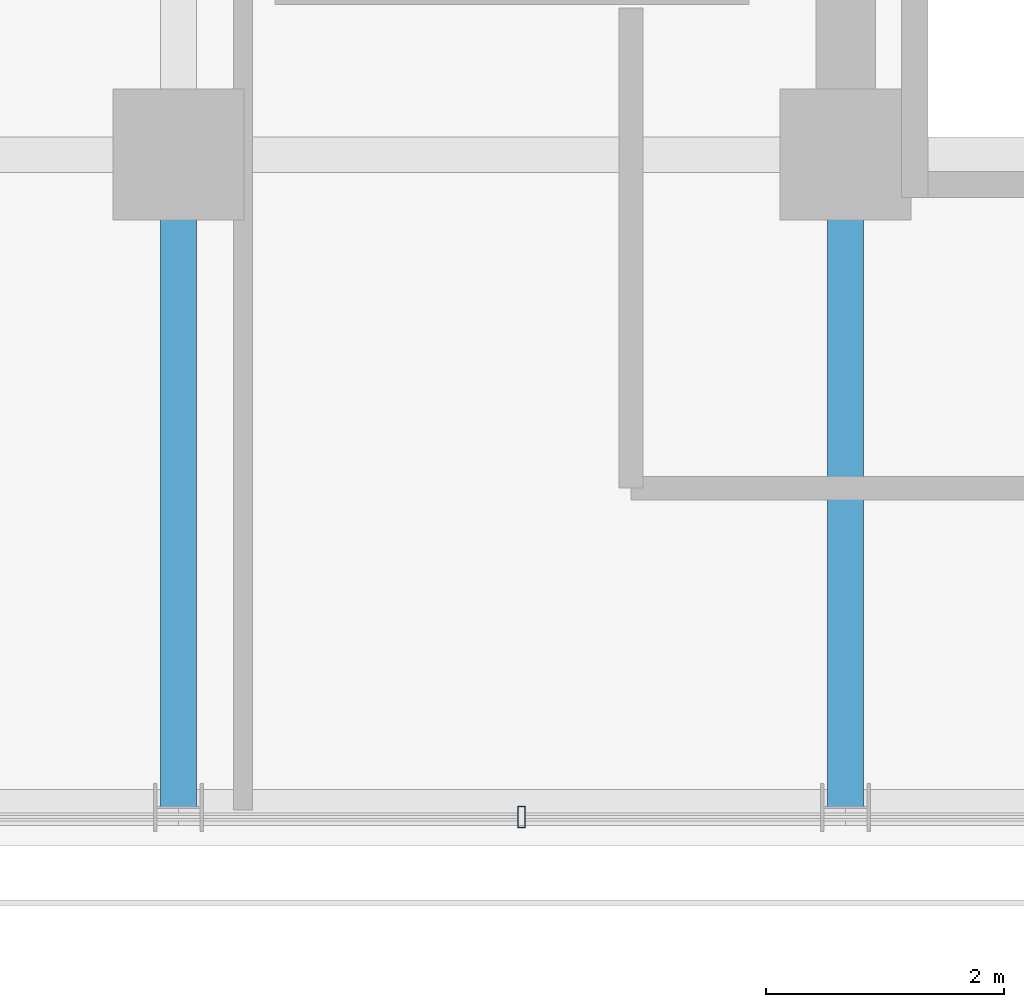
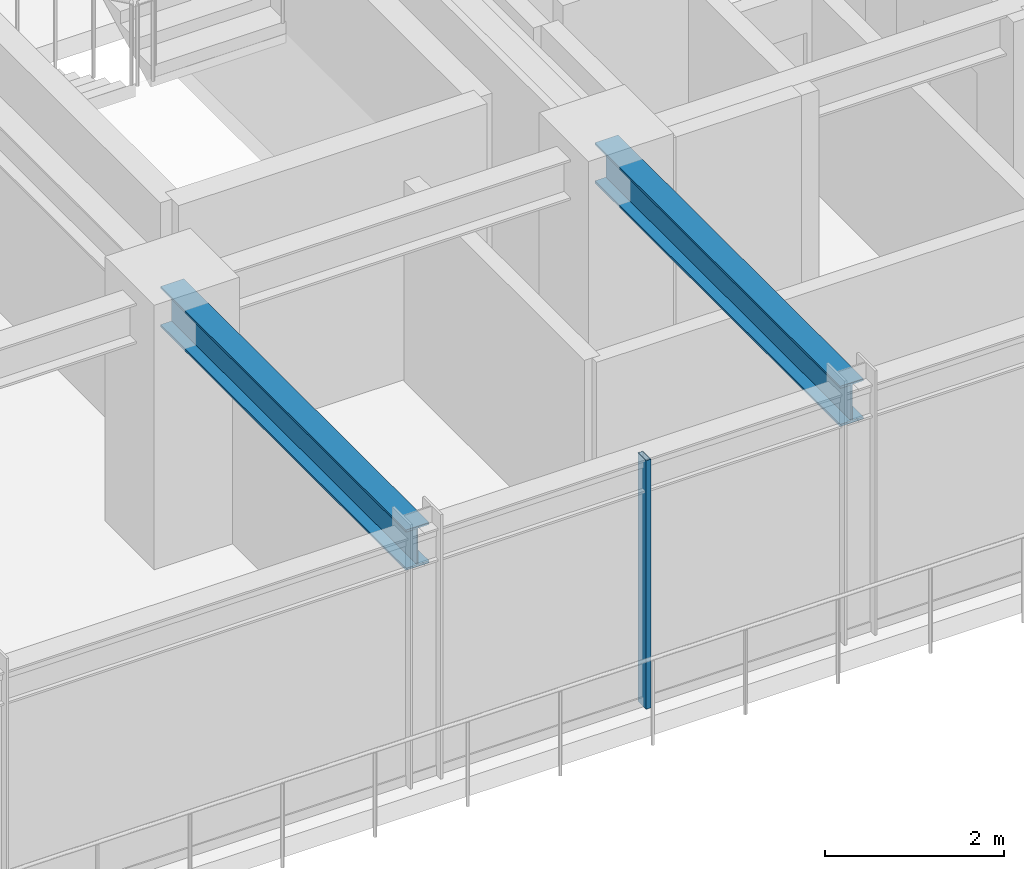
# One storey, part 5 of 33: 2 beams, 1 member, 1 element without a shape of its own.
"""IFC4 building model written with IfcOpenShell, lengths in metres."""

import ifcopenshell
import ifcopenshell.guid

model = None  # the IFC model being written
_history = None  # IfcOwnerHistory: only IFC2X3 demands one
_inside = {}  # id of a spatial element -> (the spatial element, [elements in it])
_under = {}  # id of a project, library or spatial element -> (it, [spatial elements below it])
_declared = {}  # id of a project -> (the project, [libraries it declares])
_typed = {}  # id of a type object -> (the type object, [elements of that type])
_made_of = {}  # id of a material, layer set ... -> (it, [elements and type objects made of it])


def new_model(schema):
    """Start an empty IFC model of exactly this schema.

    Asked for "IFC4X3", IfcOpenShell would pick the latest addendum, in which some entities
    have other attributes; the version numbers below select the first issue.
    IFC2X3 requires an IfcOwnerHistory on every rooted entity: one is made here for all.
    """
    global model, _history
    if schema == "IFC4X3":
        model = ifcopenshell.file(schema_version=(4, 3, 0, 0))
    else:
        model = ifcopenshell.file(schema=schema)
    _inside.clear()
    _under.clear()
    _declared.clear()
    _typed.clear()
    _made_of.clear()
    _history = None
    if model.schema == "IFC2X3":
        org = make("IfcOrganization", Name="unknown")
        user = make(
            "IfcPersonAndOrganization",
            ThePerson=make("IfcPerson", FamilyName="unknown"),
            TheOrganization=org,
        )
        app = make(
            "IfcApplication",
            ApplicationDeveloper=org,
            Version="unknown",
            ApplicationFullName="unknown",
            ApplicationIdentifier="unknown",
        )
        _history = make(
            "IfcOwnerHistory",
            OwningUser=user,
            OwningApplication=app,
            ChangeAction="ADDED",
            CreationDate=0,
        )
    return model


def make(cls, **values):
    """One entity of the class cls with the attributes given. An attribute that is None is left unset."""
    return model.create_entity(
        cls, **{name: value for name, value in values.items() if value is not None}
    )


def rooted(cls, **values):
    """An entity with a GlobalId (a new one), such as an element, a storey or a relation."""
    return make(cls, GlobalId=ifcopenshell.guid.new(), OwnerHistory=_history, **values)


def si_unit(unit_type, name, prefix=None):
    """IfcSIUnit, for example si_unit("LENGTHUNIT", "METRE", prefix="MILLI")."""
    return make("IfcSIUnit", UnitType=unit_type, Prefix=prefix, Name=name)


def assignment(units):
    """IfcUnitAssignment: the units of a project."""
    return None if units is None else make("IfcUnitAssignment", Units=units)


def point(xyz):
    """IfcCartesianPoint."""
    return None if xyz is None else make("IfcCartesianPoint", Coordinates=xyz)


def direction(xyz):
    """IfcDirection."""
    return None if xyz is None else make("IfcDirection", DirectionRatios=xyz)


def frame(location, z_axis=None, x_axis=None):
    """IfcAxis2Placement3D, a coordinate frame: its origin and axes. An axis left out is left unset."""
    return make(
        "IfcAxis2Placement3D",
        Location=point(location),
        Axis=direction(z_axis),
        RefDirection=direction(x_axis),
    )


def frame_2d(location, x_axis=None):
    """IfcAxis2Placement2D, a coordinate frame in the plane: its origin and x axis."""
    return make(
        "IfcAxis2Placement2D", Location=point(location), RefDirection=direction(x_axis)
    )


def origin():
    """The frame at (0, 0, 0) with its axes left unset."""
    return frame((0.0, 0.0, 0.0))


def origin_2d():
    """The frame at (0, 0) in the plane with its x axis left unset."""
    return frame_2d((0.0, 0.0))


def place(relative_to, where):
    """IfcLocalPlacement: puts the frame where relative to a parent placement (None: the world)."""
    return make(
        "IfcLocalPlacement", PlacementRelTo=relative_to, RelativePlacement=where
    )


def context(
    kind, dimensions, precision=None, world=None, true_north=None, identifier=None
):
    """IfcGeometricRepresentationContext, for example the 3D "Model" context."""
    return make(
        "IfcGeometricRepresentationContext",
        ContextIdentifier=identifier,
        ContextType=kind,
        CoordinateSpaceDimension=dimensions,
        Precision=precision,
        WorldCoordinateSystem=world,
        TrueNorth=true_north,
    )


def subcontext(parent, identifier, kind, view, scale=None):
    """IfcGeometricRepresentationSubContext, for example "Body" below "Model"."""
    return make(
        "IfcGeometricRepresentationSubContext",
        ContextIdentifier=identifier,
        ContextType=kind,
        ParentContext=parent,
        TargetScale=scale,
        TargetView=view,
    )


def project(units=None, contexts=None):
    """IfcProject with its units and contexts."""
    return rooted(
        "IfcProject",
        Name="project",
        RepresentationContexts=contexts,
        UnitsInContext=assignment(units),
    )


def spatial(cls, under=None, at=None, **own):
    """A site, building, storey or space (cls), placed at a placement, below another one or the project."""
    s = rooted(cls, ObjectPlacement=at, **own)
    if under is not None:
        _under.setdefault(under.id(), (under, []))[1].append(s)
    return s


def profile(cls, at=None, kind="AREA", **sizes):
    """A parametric profile (cls). Its sizes go by their IFC names, for example OverallWidth=200.0."""
    return make(cls, ProfileType=kind, Position=at, **sizes)


def hollow_rectangle(**sizes):
    """IfcRectangleHollowProfileDef."""
    return profile("IfcRectangleHollowProfileDef", **sizes)


def i_section(**sizes):
    """IfcIShapeProfileDef."""
    return profile("IfcIShapeProfileDef", **sizes)


def extrude(swept, where, along, depth):
    """IfcExtrudedAreaSolid: the profile swept, set in the frame where, extruded along a direction by depth."""
    return make(
        "IfcExtrudedAreaSolid",
        SweptArea=swept,
        Position=where,
        ExtrudedDirection=direction(along),
        Depth=depth,
    )


def shape(context_of_items, identifier, shape_type, items):
    """IfcShapeRepresentation: the items that make up one representation, for example the "Body"."""
    return make(
        "IfcShapeRepresentation",
        ContextOfItems=context_of_items,
        RepresentationIdentifier=identifier,
        RepresentationType=shape_type,
        Items=items,
    )


def source(mapping_origin, context_of_items, identifier, shape_type, items):
    """IfcRepresentationMap: a shape defined once, which mapped items show again and again."""
    return make(
        "IfcRepresentationMap",
        MappingOrigin=mapping_origin,
        MappedRepresentation=shape(context_of_items, identifier, shape_type, items),
    )


def transform(
    local_origin,
    x_axis=None,
    y_axis=None,
    z_axis=None,
    scale=None,
    scale2=None,
    scale3=None,
    uniform=True,
):
    """IfcCartesianTransformationOperator3D, or its non-uniform kind. x_axis, y_axis, z_axis: its Axis1, 2, 3."""
    if uniform:
        return make(
            "IfcCartesianTransformationOperator3D",
            Axis1=direction(x_axis),
            Axis2=direction(y_axis),
            LocalOrigin=point(local_origin),
            Scale=scale,
            Axis3=direction(z_axis),
        )
    return make(
        "IfcCartesianTransformationOperator3DnonUniform",
        Axis1=direction(x_axis),
        Axis2=direction(y_axis),
        LocalOrigin=point(local_origin),
        Scale=scale,
        Axis3=direction(z_axis),
        Scale2=scale2,
        Scale3=scale3,
    )


def mapped(mapping_source, mapping_target):
    """IfcMappedItem: shows the shape of a source again, moved by a transform."""
    return make(
        "IfcMappedItem", MappingSource=mapping_source, MappingTarget=mapping_target
    )


def material(Name=None, Category=None):
    """IfcMaterial."""
    return make("IfcMaterial", Name=Name, Category=Category)


def material_profile(
    of_material, cross_section, Name=None, Category=None, Priority=None
):
    """IfcMaterialProfile: a cross section and its material."""
    return make(
        "IfcMaterialProfile",
        Name=Name,
        Material=of_material,
        Profile=cross_section,
        Priority=Priority,
        Category=Category,
    )


def profile_set(profiles, Name=None, composite=None):
    """IfcMaterialProfileSet."""
    return make(
        "IfcMaterialProfileSet",
        Name=Name,
        MaterialProfiles=profiles,
        CompositeProfile=composite,
    )


def made_of(thing, what):
    """Note that an element or type object is made of a material, layer set ...; save() writes the relation."""
    if what is not None:
        _made_of.setdefault(what.id(), (what, []))[1].append(thing)
    return thing


def type_object(cls, material=None, **own):
    """A type object (cls), such as IfcWallType, which elements share."""
    return made_of(rooted(cls, **own), material)


def element(
    cls,
    number,
    at=None,
    inside=None,
    cuts=None,
    type_object=None,
    material=None,
    context=None,
    identifier="Body",
    shape_type=None,
    held_by="IfcProductDefinitionShape",
    body=None,
    shapes=None,
    **own,
):
    """One element of the class cls, such as IfcWall. Its Tag is "e" and its number.

    at: its placement. inside: the storey or other place that contains it. cuts: it is an
    opening in that element (IfcRelVoidsElement). A single representation is given by context,
    identifier, shape_type and body (its items); several are given by shapes. held_by: the class
    of the entity that holds the representations. save() writes the other relations.
    """
    e = rooted(cls, Tag="e%d" % number, ObjectPlacement=at, **own)
    if body is not None:
        shapes = [shape(context, identifier, shape_type, body)]
    if shapes is not None:
        e.Representation = make(held_by, Representations=shapes)
    if inside is not None:
        _inside.setdefault(inside.id(), (inside, []))[1].append(e)
    if cuts is not None:
        rooted(
            "IfcRelVoidsElement", RelatingBuildingElement=cuts, RelatedOpeningElement=e
        )
    if type_object is not None:
        _typed.setdefault(type_object.id(), (type_object, []))[1].append(e)
    return made_of(e, material)


def aggregate(whole, parts):
    """IfcRelAggregates: a whole, such as a stair, and the parts it consists of."""
    return rooted("IfcRelAggregates", RelatingObject=whole, RelatedObjects=parts)


def save(model, path):
    """Write the relations noted so far, then the file.

    IfcRelAggregates (storeys below a building ...), IfcRelContainedInSpatialStructure (elements
    in a storey), IfcRelDefinesByType, IfcRelAssociatesMaterial and IfcRelDeclares: one each for
    every whole, place, type object, material and project.
    """
    for whole, parts in _under.values():
        aggregate(whole, parts)
    for where, things in _inside.values():
        rooted(
            "IfcRelContainedInSpatialStructure",
            RelatedElements=things,
            RelatingStructure=where,
        )
    for kind, things in _typed.values():
        rooted("IfcRelDefinesByType", RelatedObjects=things, RelatingType=kind)
    for what, things in _made_of.values():
        rooted("IfcRelAssociatesMaterial", RelatedObjects=things, RelatingMaterial=what)
    for by, libraries in _declared.values():
        rooted("IfcRelDeclares", RelatingContext=by, RelatedDefinitions=libraries)
    model.write(path)


model = new_model("IFC4")

# Units and contexts
model_context = context("Model", 3, precision=1e-05, world=origin(), true_north=direction((0.0, 1.0)))
body_context = subcontext(model_context, "Body", "Model", "MODEL_VIEW")
ifc_project = project(units=[si_unit("LENGTHUNIT", "METRE"), si_unit("AREAUNIT", "SQUARE_METRE"), si_unit("VOLUMEUNIT", "CUBIC_METRE"), si_unit("PLANEANGLEUNIT", "RADIAN"), si_unit("MASSUNIT", "GRAM", prefix="KILO")], contexts=[model_context])

# Site, building, storey
site_placement = place(None, origin())
site = spatial("IfcSite", under=ifc_project, at=site_placement, CompositionType="ELEMENT")
building_placement = place(site_placement, origin())
building = spatial("IfcBuilding", under=site, at=building_placement, Name="Nahalor Promenade Grand Hotel", CompositionType="ELEMENT")
storey_placement = place(building_placement, frame((0.0, 0.0, 149.0)))
storey = spatial("IfcBuildingStorey", under=building, at=storey_placement, Name="L37", CompositionType="ELEMENT", Elevation=149.0)

# Beams
ifc_material_1 = material(Name="Steel S355JR", Category="steel")
ifc_material_profile_1 = material_profile(ifc_material_1, i_section(OverallWidth=0.3, OverallDepth=0.55, WebThickness=0.015, FlangeThickness=0.029, at=origin_2d()), Name="HEB 550")
ifc_profile_set_1 = profile_set([ifc_material_profile_1], Name="Steel S355JR")
beam_type = type_object("IfcBeamType", Name="Beam-Girder-HEB550", PredefinedType="BEAM", material=ifc_profile_set_1)
shared_shape_1 = source(origin(), body_context, "Body", "SweptSolid", [
    extrude(i_section(OverallWidth=0.3, OverallDepth=0.55, WebThickness=0.015, FlangeThickness=0.029, at=origin_2d()), origin(), (0.0, 0.0, 1.0), 5.47998046875),
])
for number, where, z_axis, x_axis, name in (
    (1, (2.800048828125, -22.47998046875, 3.114990234375), (0.0, 1.0, 0.0), (-1.0, 0.0, 0.0), "BM-L37-GY-3-0"),
    (2, (8.39990234375, -22.47998046875, 3.114990234375), (0.0, 1.0, 0.0), (-1.0, 0.0, 0.0), "BM-L37-GY-4-0"),
):
    element("IfcBeam", number, at=place(storey_placement, frame(where, z_axis=z_axis, x_axis=x_axis)), inside=storey, type_object=beam_type, Name=name, PredefinedType="BEAM", context=body_context, shape_type="MappedRepresentation", body=[
        mapped(shared_shape_1, transform((0.0, 0.0, 0.0), scale=1.0)),
    ])

# Curtain wall, member
ifc_material_2 = material(Name="Anodised Bronze Aluminium EN AW-6063 T6", Category="aluminium")
curtain_wall_type = type_object("IfcCurtainWallType", Name="CW2 Typical Hotel Flush Bronze Unitised Curtain Wall", PredefinedType="USERDEFINED", material=ifc_material_2)
curtain_wall_placement = place(storey_placement, origin())
curtain_wall = element("IfcCurtainWall", 3, at=curtain_wall_placement, inside=storey, type_object=curtain_wall_type, Name="L37 Curtain Wall CW-L37-S-3", ObjectType="UNITISED_CURTAIN_WALL", PredefinedType="USERDEFINED")
ifc_material_profile_2 = material_profile(ifc_material_2, hollow_rectangle(XDim=0.065, YDim=0.18, WallThickness=0.004, at=origin_2d()), Name="CWM 65x180x4")
ifc_profile_set_2 = profile_set([ifc_material_profile_2], Name="Anodised Bronze Aluminium EN AW-6063 T6")
member_type = type_object("IfcMemberType", Name="CWM2 Typical Bronze Mullion 65x180", PredefinedType="MULLION", material=ifc_profile_set_2)
shared_shape_2 = source(origin(), body_context, "Body", "SweptSolid", [
    extrude(hollow_rectangle(XDim=0.065, YDim=0.18, WallThickness=0.004, at=origin_2d()), origin(), (0.0, 0.0, 1.0), 3.389892578125),
])
member_placement = place(storey_placement, frame((5.679931640625, -22.56005859375, 0.0), z_axis=(0.0, 0.0, 1.0), x_axis=(1.0, 0.0, 0.0)))
member = element("IfcMember", 4, at=member_placement, type_object=member_type, Name="CW-L37-S-3 Mullion 1", PredefinedType="MULLION", context=body_context, shape_type="MappedRepresentation", body=[
    mapped(shared_shape_2, transform((0.0, 0.0, 0.0), scale=1.0)),
])
aggregate(curtain_wall, [member])

save(model, "model.ifc")
